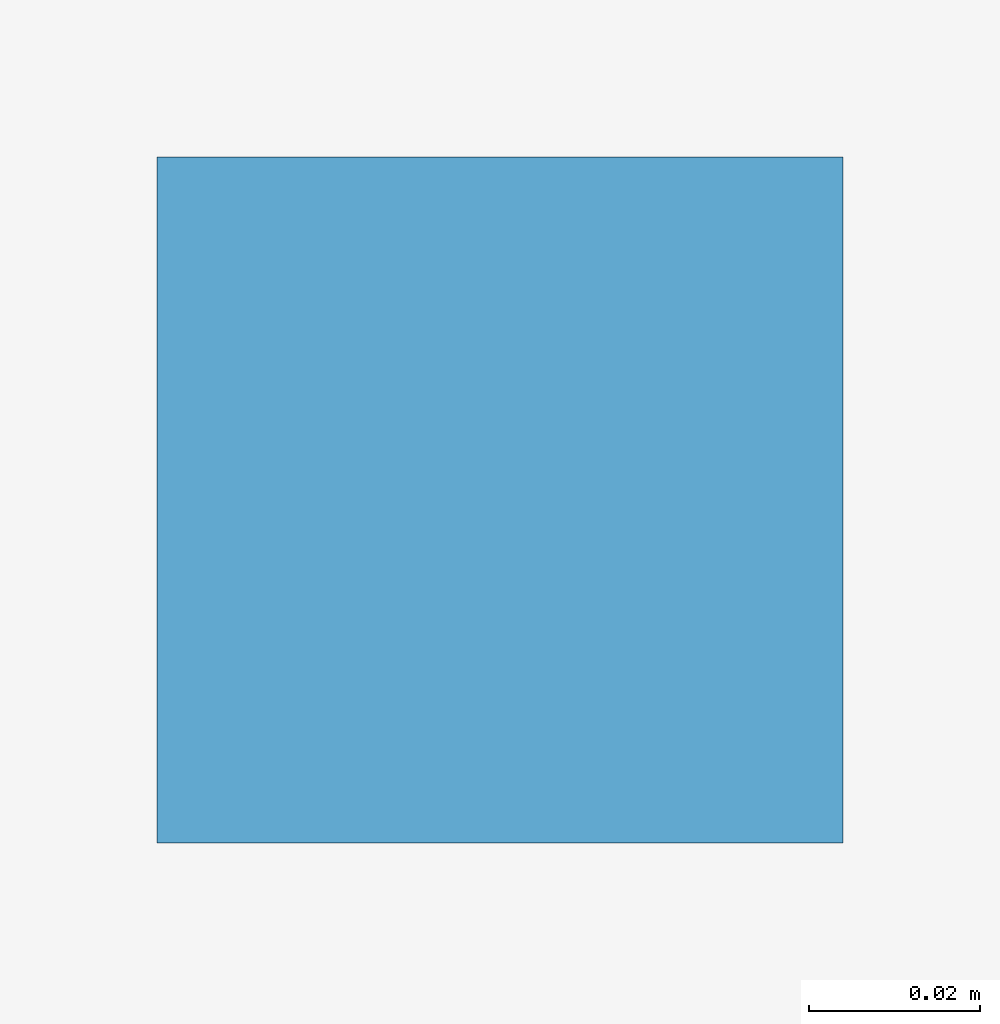
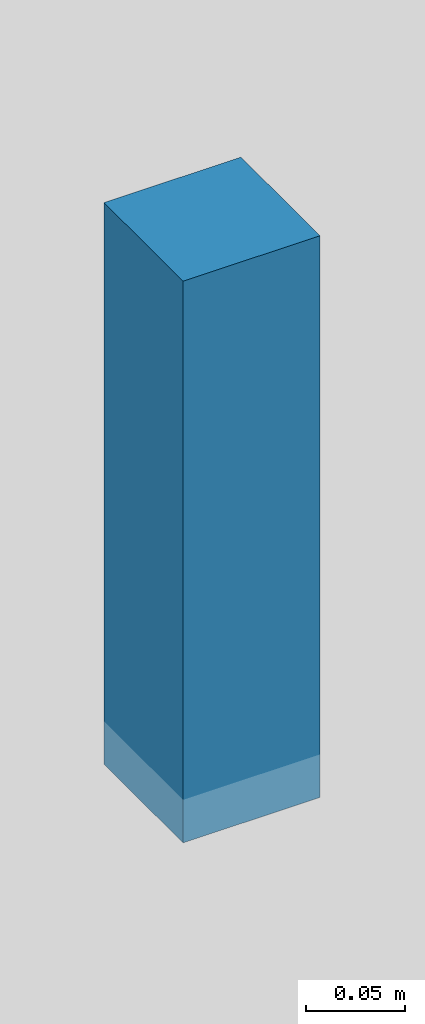
# One storey, part 94 of 116: 1 discrete accessory.
"""IFC4 building model written with IfcOpenShell, lengths in metres."""

import ifcopenshell
import ifcopenshell.guid

model = None  # the IFC model being written
_history = None  # IfcOwnerHistory: only IFC2X3 demands one
_inside = {}  # id of a spatial element -> (the spatial element, [elements in it])
_under = {}  # id of a project, library or spatial element -> (it, [spatial elements below it])
_declared = {}  # id of a project -> (the project, [libraries it declares])
_typed = {}  # id of a type object -> (the type object, [elements of that type])
_made_of = {}  # id of a material, layer set ... -> (it, [elements and type objects made of it])


def new_model(schema):
    """Start an empty IFC model of exactly this schema.

    Asked for "IFC4X3", IfcOpenShell would pick the latest addendum, in which some entities
    have other attributes; the version numbers below select the first issue.
    IFC2X3 requires an IfcOwnerHistory on every rooted entity: one is made here for all.
    """
    global model, _history
    if schema == "IFC4X3":
        model = ifcopenshell.file(schema_version=(4, 3, 0, 0))
    else:
        model = ifcopenshell.file(schema=schema)
    _inside.clear()
    _under.clear()
    _declared.clear()
    _typed.clear()
    _made_of.clear()
    _history = None
    if model.schema == "IFC2X3":
        org = make("IfcOrganization", Name="unknown")
        user = make(
            "IfcPersonAndOrganization",
            ThePerson=make("IfcPerson", FamilyName="unknown"),
            TheOrganization=org,
        )
        app = make(
            "IfcApplication",
            ApplicationDeveloper=org,
            Version="unknown",
            ApplicationFullName="unknown",
            ApplicationIdentifier="unknown",
        )
        _history = make(
            "IfcOwnerHistory",
            OwningUser=user,
            OwningApplication=app,
            ChangeAction="ADDED",
            CreationDate=0,
        )
    return model


def make(cls, **values):
    """One entity of the class cls with the attributes given. An attribute that is None is left unset."""
    return model.create_entity(
        cls, **{name: value for name, value in values.items() if value is not None}
    )


def rooted(cls, **values):
    """An entity with a GlobalId (a new one), such as an element, a storey or a relation."""
    return make(cls, GlobalId=ifcopenshell.guid.new(), OwnerHistory=_history, **values)


def si_unit(unit_type, name, prefix=None):
    """IfcSIUnit, for example si_unit("LENGTHUNIT", "METRE", prefix="MILLI")."""
    return make("IfcSIUnit", UnitType=unit_type, Prefix=prefix, Name=name)


def assignment(units):
    """IfcUnitAssignment: the units of a project."""
    return None if units is None else make("IfcUnitAssignment", Units=units)


def point(xyz):
    """IfcCartesianPoint."""
    return None if xyz is None else make("IfcCartesianPoint", Coordinates=xyz)


def direction(xyz):
    """IfcDirection."""
    return None if xyz is None else make("IfcDirection", DirectionRatios=xyz)


def frame(location, z_axis=None, x_axis=None):
    """IfcAxis2Placement3D, a coordinate frame: its origin and axes. An axis left out is left unset."""
    return make(
        "IfcAxis2Placement3D",
        Location=point(location),
        Axis=direction(z_axis),
        RefDirection=direction(x_axis),
    )


def frame_2d(location, x_axis=None):
    """IfcAxis2Placement2D, a coordinate frame in the plane: its origin and x axis."""
    return make(
        "IfcAxis2Placement2D", Location=point(location), RefDirection=direction(x_axis)
    )


def origin():
    """The frame at (0, 0, 0) with its axes left unset."""
    return frame((0.0, 0.0, 0.0))


def origin_2d():
    """The frame at (0, 0) in the plane with its x axis left unset."""
    return frame_2d((0.0, 0.0))


def place(relative_to, where):
    """IfcLocalPlacement: puts the frame where relative to a parent placement (None: the world)."""
    return make(
        "IfcLocalPlacement", PlacementRelTo=relative_to, RelativePlacement=where
    )


def context(
    kind, dimensions, precision=None, world=None, true_north=None, identifier=None
):
    """IfcGeometricRepresentationContext, for example the 3D "Model" context."""
    return make(
        "IfcGeometricRepresentationContext",
        ContextIdentifier=identifier,
        ContextType=kind,
        CoordinateSpaceDimension=dimensions,
        Precision=precision,
        WorldCoordinateSystem=world,
        TrueNorth=true_north,
    )


def subcontext(parent, identifier, kind, view, scale=None):
    """IfcGeometricRepresentationSubContext, for example "Body" below "Model"."""
    return make(
        "IfcGeometricRepresentationSubContext",
        ContextIdentifier=identifier,
        ContextType=kind,
        ParentContext=parent,
        TargetScale=scale,
        TargetView=view,
    )


def project(units=None, contexts=None):
    """IfcProject with its units and contexts."""
    return rooted(
        "IfcProject",
        Name="project",
        RepresentationContexts=contexts,
        UnitsInContext=assignment(units),
    )


def spatial(cls, under=None, at=None, **own):
    """A site, building, storey or space (cls), placed at a placement, below another one or the project."""
    s = rooted(cls, ObjectPlacement=at, **own)
    if under is not None:
        _under.setdefault(under.id(), (under, []))[1].append(s)
    return s


def profile(cls, at=None, kind="AREA", **sizes):
    """A parametric profile (cls). Its sizes go by their IFC names, for example OverallWidth=200.0."""
    return make(cls, ProfileType=kind, Position=at, **sizes)


def rectangle(**sizes):
    """IfcRectangleProfileDef."""
    return profile("IfcRectangleProfileDef", **sizes)


def extrude(swept, where, along, depth):
    """IfcExtrudedAreaSolid: the profile swept, set in the frame where, extruded along a direction by depth."""
    return make(
        "IfcExtrudedAreaSolid",
        SweptArea=swept,
        Position=where,
        ExtrudedDirection=direction(along),
        Depth=depth,
    )


def shape(context_of_items, identifier, shape_type, items):
    """IfcShapeRepresentation: the items that make up one representation, for example the "Body"."""
    return make(
        "IfcShapeRepresentation",
        ContextOfItems=context_of_items,
        RepresentationIdentifier=identifier,
        RepresentationType=shape_type,
        Items=items,
    )


def material(Name=None, Category=None):
    """IfcMaterial."""
    return make("IfcMaterial", Name=Name, Category=Category)


def made_of(thing, what):
    """Note that an element or type object is made of a material, layer set ...; save() writes the relation."""
    if what is not None:
        _made_of.setdefault(what.id(), (what, []))[1].append(thing)
    return thing


def type_object(cls, material=None, **own):
    """A type object (cls), such as IfcWallType, which elements share."""
    return made_of(rooted(cls, **own), material)


def element(
    cls,
    number,
    at=None,
    inside=None,
    cuts=None,
    type_object=None,
    material=None,
    context=None,
    identifier="Body",
    shape_type=None,
    held_by="IfcProductDefinitionShape",
    body=None,
    shapes=None,
    **own,
):
    """One element of the class cls, such as IfcWall. Its Tag is "e" and its number.

    at: its placement. inside: the storey or other place that contains it. cuts: it is an
    opening in that element (IfcRelVoidsElement). A single representation is given by context,
    identifier, shape_type and body (its items); several are given by shapes. held_by: the class
    of the entity that holds the representations. save() writes the other relations.
    """
    e = rooted(cls, Tag="e%d" % number, ObjectPlacement=at, **own)
    if body is not None:
        shapes = [shape(context, identifier, shape_type, body)]
    if shapes is not None:
        e.Representation = make(held_by, Representations=shapes)
    if inside is not None:
        _inside.setdefault(inside.id(), (inside, []))[1].append(e)
    if cuts is not None:
        rooted(
            "IfcRelVoidsElement", RelatingBuildingElement=cuts, RelatedOpeningElement=e
        )
    if type_object is not None:
        _typed.setdefault(type_object.id(), (type_object, []))[1].append(e)
    return made_of(e, material)


def aggregate(whole, parts):
    """IfcRelAggregates: a whole, such as a stair, and the parts it consists of."""
    return rooted("IfcRelAggregates", RelatingObject=whole, RelatedObjects=parts)


def save(model, path):
    """Write the relations noted so far, then the file.

    IfcRelAggregates (storeys below a building ...), IfcRelContainedInSpatialStructure (elements
    in a storey), IfcRelDefinesByType, IfcRelAssociatesMaterial and IfcRelDeclares: one each for
    every whole, place, type object, material and project.
    """
    for whole, parts in _under.values():
        aggregate(whole, parts)
    for where, things in _inside.values():
        rooted(
            "IfcRelContainedInSpatialStructure",
            RelatedElements=things,
            RelatingStructure=where,
        )
    for kind, things in _typed.values():
        rooted("IfcRelDefinesByType", RelatedObjects=things, RelatingType=kind)
    for what, things in _made_of.values():
        rooted("IfcRelAssociatesMaterial", RelatedObjects=things, RelatingMaterial=what)
    for by, libraries in _declared.values():
        rooted("IfcRelDeclares", RelatingContext=by, RelatedDefinitions=libraries)
    model.write(path)


model = new_model("IFC4")

# Units and contexts
model_context = context("Model", 3, precision=1e-05, world=origin(), true_north=direction((0.0, 1.0)))
body_context = subcontext(model_context, "Body", "Model", "MODEL_VIEW")
ifc_project = project(units=[si_unit("LENGTHUNIT", "METRE"), si_unit("AREAUNIT", "SQUARE_METRE"), si_unit("VOLUMEUNIT", "CUBIC_METRE"), si_unit("PLANEANGLEUNIT", "RADIAN"), si_unit("MASSUNIT", "GRAM", prefix="KILO")], contexts=[model_context])

# Site, building, storey
site_placement = place(None, origin())
site = spatial("IfcSite", under=ifc_project, at=site_placement, CompositionType="ELEMENT")
building_placement = place(site_placement, origin())
building = spatial("IfcBuilding", under=site, at=building_placement, Name="Chalmorin Arch Market", CompositionType="ELEMENT")
storey_placement = place(building_placement, origin())
storey = spatial("IfcBuildingStorey", under=building, at=storey_placement, Name="L00", CompositionType="ELEMENT", Elevation=0.0)

# Discrete accessory
ifc_material = material(Name="Galvanized Cold-Formed Steel", Category="steel")
discrete_accessory_type = type_object("IfcDiscreteAccessoryType", Name="CeilingSuspensionBracket-80x80", PredefinedType="BRACKET", material=ifc_material)
discrete_accessory_placement = place(storey_placement, frame((55.800048828125, 54.25, 4.2529296875), z_axis=(0.0, 0.0, 1.0), x_axis=(1.0, 0.0, 0.0)))
element("IfcDiscreteAccessory", 1, at=discrete_accessory_placement, inside=storey, type_object=discrete_accessory_type, Name="CSB-067", PredefinedType="BRACKET", context=body_context, shape_type="SweptSolid", body=[
    extrude(rectangle(XDim=0.080078125, YDim=0.080078125, at=origin_2d()), origin(), (0.0, 0.0, 1.0), 0.346923828125),
])

save(model, "model.ifc")
